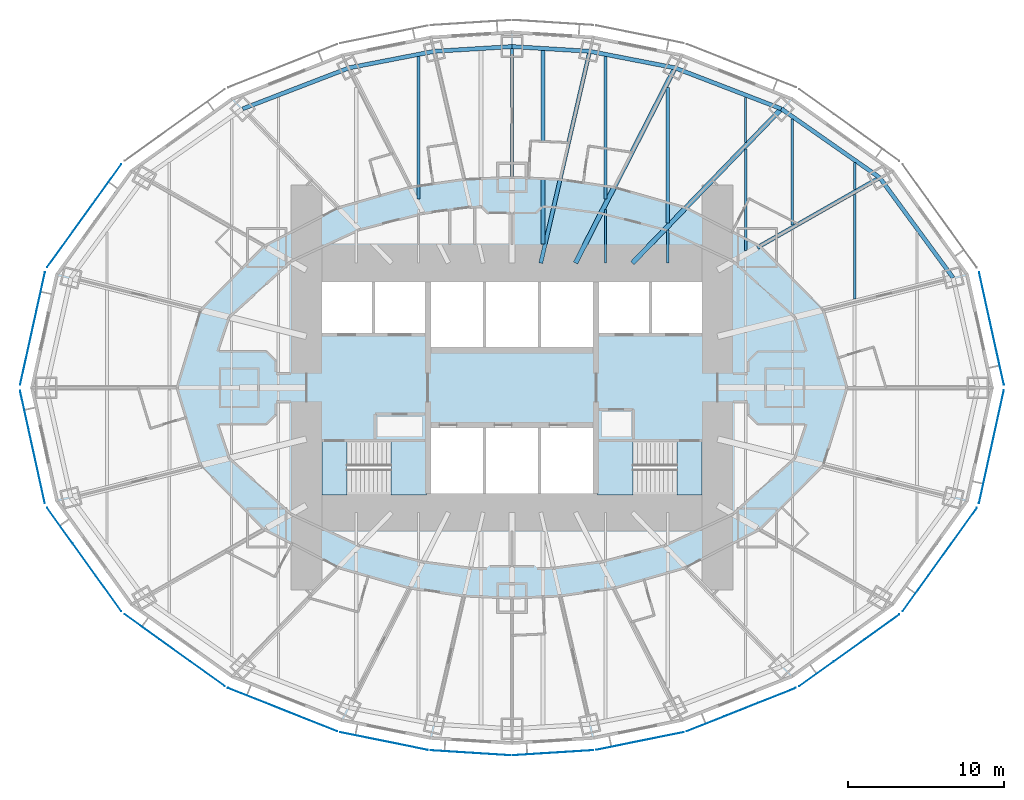
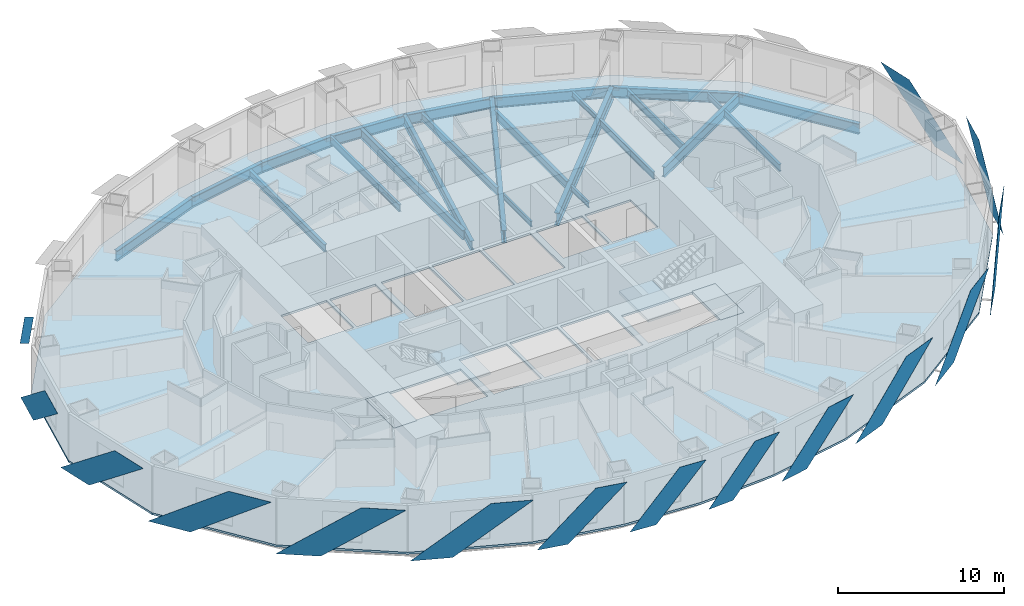
# One storey, part 3 of 15: 24 beams, 15 plates, 5 slabs, 2 elements without a shape of their own.
"""IFC4 building model written with IfcOpenShell, lengths in metres."""

from ifc_helpers import new_model, si_unit, direction, frame, origin, origin_2d, place, context, subcontext, project, spatial, polyline, i_section, outline, extrude, material, layer, layer_set, material_profile, profile_set, type_object, element, aggregate, save


model = new_model("IFC4")

# Units and contexts
model_context = context("Model", 3, precision=1e-05, world=origin(), true_north=direction((0.0, 1.0)))
body_context = subcontext(model_context, "Body", "Model", "MODEL_VIEW")
ifc_project = project(units=[si_unit("LENGTHUNIT", "METRE"), si_unit("AREAUNIT", "SQUARE_METRE"), si_unit("VOLUMEUNIT", "CUBIC_METRE"), si_unit("PLANEANGLEUNIT", "RADIAN"), si_unit("MASSUNIT", "GRAM", prefix="KILO")], contexts=[model_context])

# Site, building, storey
site_placement = place(None, origin())
site = spatial("IfcSite", under=ifc_project, at=site_placement, CompositionType="ELEMENT")
building_placement = place(site_placement, origin())
building = spatial("IfcBuilding", under=site, at=building_placement, Name="Lantaw Convention Tower", CompositionType="ELEMENT")
storey_placement = place(building_placement, frame((0.0, 0.0, 55.0)))
storey = spatial("IfcBuildingStorey", under=building, at=storey_placement, Name="L11", CompositionType="ELEMENT", Elevation=55.0)

# Beams
ifc_material_1 = material(Name="Steel ASTM A992", Category="steel")
ifc_material_profile_1 = material_profile(ifc_material_1, i_section(OverallWidth=0.2666015625, OverallDepth=0.76953125, WebThickness=0.015625, FlangeThickness=0.025390625, FilletRadius=0.0126953125, at=origin_2d()), Name="W30X132")
ifc_profile_set_1 = profile_set([ifc_material_profile_1], Name="Steel ASTM A992")
beam_type_1 = type_object("IfcBeamType", Name="Beam E W30X132", PredefinedType="SPANDREL", material=ifc_profile_set_1)
beam_1_placement = place(storey_placement, frame((28.31787109375, 7.060302734375, -0.534912109375), z_axis=(-0.591270709086, 0.806473154281, 0.0), x_axis=(-0.806473154281, -0.591270709086, 0.0)))
element("IfcBeam", 1, at=beam_1_placement, inside=storey, type_object=beam_type_1, Name="Edge beam 2", PredefinedType="SPANDREL", context=body_context, shape_type="SweptSolid", body=[
    extrude(i_section(OverallWidth=0.2666015625, OverallDepth=0.76953125, WebThickness=0.015625, FlangeThickness=0.025390625, FilletRadius=0.0126953125, at=origin_2d()), origin(), (0.0, 0.0, 1.0), 7.970703125),
])
beam_2_placement = place(storey_placement, frame((23.60498046875, 13.488525390625, -0.534912109375), z_axis=(-0.81942686407, 0.57318375277, 0.0), x_axis=(-0.57318375277, -0.81942686407, 0.0)))
element("IfcBeam", 2, at=beam_2_placement, inside=storey, type_object=beam_type_1, Name="Edge beam 3", PredefinedType="SPANDREL", context=body_context, shape_type="SweptSolid", body=[
    extrude(i_section(OverallWidth=0.2666015625, OverallDepth=0.76953125, WebThickness=0.015625, FlangeThickness=0.025390625, FilletRadius=0.0126953125, at=origin_2d()), origin(), (0.0, 0.0, 1.0), 7.70556640625),
])
beam_3_placement = place(storey_placement, frame((17.290771484375, 17.9052734375, -0.534912109375), z_axis=(-0.933232900641, 0.359271976588, 0.0), x_axis=(-0.359271976588, -0.933232900641, 0.0)))
element("IfcBeam", 3, at=beam_3_placement, inside=storey, type_object=beam_type_1, Name="Edge beam 4", PredefinedType="SPANDREL", context=body_context, shape_type="SweptSolid", body=[
    extrude(i_section(OverallWidth=0.2666015625, OverallDepth=0.76953125, WebThickness=0.015625, FlangeThickness=0.025390625, FilletRadius=0.0126953125, at=origin_2d()), origin(), (0.0, 0.0, 1.0), 7.316650390625),
])
beam_4_placement = place(storey_placement, frame((10.462646484375, 20.533935546875, -0.534912109375), z_axis=(-0.981636565323, 0.190760723474, 0.0), x_axis=(-0.190760723474, -0.981636565323, 0.0)))
element("IfcBeam", 4, at=beam_4_placement, inside=storey, type_object=beam_type_1, Name="Edge beam 5", PredefinedType="SPANDREL", context=body_context, shape_type="SweptSolid", body=[
    extrude(i_section(OverallWidth=0.2666015625, OverallDepth=0.76953125, WebThickness=0.015625, FlangeThickness=0.025390625, FilletRadius=0.0126953125, at=origin_2d()), origin(), (0.0, 0.0, 1.0), 5.578857421875),
])
for number, where, z_axis, x_axis, name in (
    (5, (4.986328125, 21.59814453125, -0.534912109375), (-0.998173858406, 0.060406526096, 0.0), (-0.060406526096, -0.998173858406, 0.0), "Edge beam 6"),
    (6, (0.0, 21.89990234375, -0.534912109375), (-0.998173858406, -0.060406526096, 0.0), (0.060406526096, -0.998173858406, 0.0), "Edge beam 7"),
):
    element("IfcBeam", number, at=place(storey_placement, frame(where, z_axis=z_axis, x_axis=x_axis)), inside=storey, type_object=beam_type_1, Name=name, PredefinedType="SPANDREL", context=body_context, shape_type="SweptSolid", body=[
        extrude(i_section(OverallWidth=0.2666015625, OverallDepth=0.76953125, WebThickness=0.015625, FlangeThickness=0.025390625, FilletRadius=0.0126953125, at=origin_2d()), origin(), (0.0, 0.0, 1.0), 4.995361328125),
    ])
beam_5_placement = place(storey_placement, frame((-4.986328125, 21.59814453125, -0.534912109375), z_axis=(-0.981636565323, -0.190760723474, 0.0), x_axis=(0.190760723474, -0.981636565323, 0.0)))
element("IfcBeam", 7, at=beam_5_placement, inside=storey, type_object=beam_type_1, Name="Edge beam 8", PredefinedType="SPANDREL", context=body_context, shape_type="SweptSolid", body=[
    extrude(i_section(OverallWidth=0.2666015625, OverallDepth=0.76953125, WebThickness=0.015625, FlangeThickness=0.025390625, FilletRadius=0.0126953125, at=origin_2d()), origin(), (0.0, 0.0, 1.0), 5.578857421875),
])
beam_6_placement = place(storey_placement, frame((-10.462646484375, 20.533935546875, -0.534912109375), z_axis=(-0.933232900641, -0.359271976588, 0.0), x_axis=(0.359271976588, -0.933232900641, 0.0)))
element("IfcBeam", 8, at=beam_6_placement, inside=storey, type_object=beam_type_1, Name="Edge beam 9", PredefinedType="SPANDREL", context=body_context, shape_type="SweptSolid", body=[
    extrude(i_section(OverallWidth=0.2666015625, OverallDepth=0.76953125, WebThickness=0.015625, FlangeThickness=0.025390625, FilletRadius=0.0126953125, at=origin_2d()), origin(), (0.0, 0.0, 1.0), 7.316650390625),
])
ifc_material_profile_2 = material_profile(ifc_material_1, i_section(OverallWidth=0.1650390625, OverallDepth=0.52587890625, WebThickness=0.0087890625, FlangeThickness=0.011474609375, FilletRadius=0.0126953125, at=origin_2d()), Name="W21X44")
ifc_profile_set_2 = profile_set([ifc_material_profile_2], Name="Steel ASTM A992")
beam_type_2 = type_object("IfcBeamType", Name="Beam G W21X44", PredefinedType="BEAM", material=ifc_profile_set_2)
beam_7_placement = place(storey_placement, frame((0.0, 13.5, -0.412841796875), z_axis=(0.0, 1.0, 0.0), x_axis=(-1.0, 0.0, 0.0)))
element("IfcBeam", 9, at=beam_7_placement, inside=storey, type_object=beam_type_2, Name="Floor girder on ray 7", PredefinedType="BEAM", context=body_context, shape_type="SweptSolid", body=[
    extrude(i_section(OverallWidth=0.1650390625, OverallDepth=0.52587890625, WebThickness=0.0087890625, FlangeThickness=0.011474609375, FilletRadius=0.0126953125, at=origin_2d()), origin(), (0.0, 0.0, 1.0), 8.39990234375),
])
ifc_material_profile_3 = material_profile(ifc_material_1, i_section(OverallWidth=0.25390625, OverallDepth=0.683349609375, WebThickness=0.012451171875, FlangeThickness=0.01904296875, FilletRadius=0.01513671875, at=origin_2d()), Name="W27X94")
ifc_profile_set_3 = profile_set([ifc_material_profile_3], Name="Steel ASTM A992")
beam_type_3 = type_object("IfcBeamType", Name="Beam G W27X94", PredefinedType="BEAM", material=ifc_profile_set_3)
beam_8_placement = place(storey_placement, frame((1.846923828125, 8.0, -0.49169921875), z_axis=(0.224952773175, 0.97436966796, 0.0), x_axis=(-0.97436966796, 0.224952773175, 0.0)))
element("IfcBeam", 10, at=beam_8_placement, inside=storey, type_object=beam_type_3, Name="Floor girder on ray 6", PredefinedType="BEAM", context=body_context, shape_type="SweptSolid", body=[
    extrude(i_section(OverallWidth=0.25390625, OverallDepth=0.683349609375, WebThickness=0.012451171875, FlangeThickness=0.01904296875, FilletRadius=0.01513671875, at=origin_2d()), origin(), (0.0, 0.0, 1.0), 13.955810546875),
])
ifc_material_profile_4 = material_profile(ifc_material_1, i_section(OverallWidth=0.2666015625, OverallDepth=0.7568359375, WebThickness=0.013916015625, FlangeThickness=0.019287109375, FilletRadius=0.0126953125, at=origin_2d()), Name="W30X108")
ifc_profile_set_4 = profile_set([ifc_material_profile_4], Name="Steel ASTM A992")
beam_type_4 = type_object("IfcBeamType", Name="Beam G W30X108", PredefinedType="BEAM", material=ifc_profile_set_4)
beam_9_placement = place(storey_placement, frame((15.75, 9.0, -0.528564453125), z_axis=(0.868244802791, 0.496136032179, 0.0), x_axis=(-0.496136032179, 0.868244802791, 0.0)))
element("IfcBeam", 11, at=beam_9_placement, inside=storey, type_object=beam_type_4, Name="Floor girder on ray 3", PredefinedType="BEAM", context=body_context, shape_type="SweptSolid", body=[
    extrude(i_section(OverallWidth=0.2666015625, OverallDepth=0.7568359375, WebThickness=0.013916015625, FlangeThickness=0.019287109375, FilletRadius=0.0126953125, at=origin_2d()), origin(), (0.0, 0.0, 1.0), 9.046875),
])
ifc_material_profile_5 = material_profile(ifc_material_1, i_section(OverallWidth=0.307373046875, OverallDepth=0.922119140625, WebThickness=0.018310546875, FlangeThickness=0.030029296875, FilletRadius=0.0126953125, at=origin_2d()), Name="W36X182")
ifc_profile_set_5 = profile_set([ifc_material_profile_5], Name="Steel ASTM A992")
beam_type_5 = type_object("IfcBeamType", Name="Beam G W36X182", PredefinedType="BEAM", material=ifc_profile_set_5)
beam_10_placement = place(storey_placement, frame((7.7255859375, 8.0, -0.611083984375), z_axis=(0.694649884291, 0.719347995239, 0.0), x_axis=(-0.719347995239, 0.694649884291, 0.0)))
element("IfcBeam", 12, at=beam_10_placement, inside=storey, type_object=beam_type_5, Name="Floor girder on ray 4", PredefinedType="BEAM", context=body_context, shape_type="SweptSolid", body=[
    extrude(i_section(OverallWidth=0.307373046875, OverallDepth=0.922119140625, WebThickness=0.018310546875, FlangeThickness=0.030029296875, FilletRadius=0.0126953125, at=origin_2d()), origin(), (0.0, 0.0, 1.0), 13.769775390625),
])
beam_11_placement = place(storey_placement, frame((4.076171875, 8.0, -0.611083984375), z_axis=(0.453997016122, 0.891003203896, 0.0), x_axis=(-0.891003203896, 0.453997016122, 0.0)))
element("IfcBeam", 13, at=beam_11_placement, inside=storey, type_object=beam_type_5, Name="Floor girder on ray 5", PredefinedType="BEAM", context=body_context, shape_type="SweptSolid", body=[
    extrude(i_section(OverallWidth=0.307373046875, OverallDepth=0.922119140625, WebThickness=0.018310546875, FlangeThickness=0.030029296875, FilletRadius=0.0126953125, at=origin_2d()), origin(), (0.0, 0.0, 1.0), 14.067138671875),
])
ifc_material_profile_6 = material_profile(ifc_material_1, i_section(OverallWidth=0.140380859375, OverallDepth=0.40380859375, WebThickness=0.007080078125, FlangeThickness=0.01123046875, FilletRadius=0.01025390625, at=origin_2d()), Name="W16X31")
ifc_profile_set_6 = profile_set([ifc_material_profile_6], Name="Steel ASTM A992")
beam_type_6 = type_object("IfcBeamType", Name="Beam J W16X31", PredefinedType="JOIST", material=ifc_profile_set_6)
beam_12_placement = place(storey_placement, frame((6.0, 8.0, -0.35205078125), z_axis=(0.0, 1.0, 0.0), x_axis=(-1.0, 0.0, 0.0)))
element("IfcBeam", 14, at=beam_12_placement, inside=storey, type_object=beam_type_6, Name="Floor joist", PredefinedType="JOIST", context=body_context, shape_type="SweptSolid", body=[
    extrude(i_section(OverallWidth=0.140380859375, OverallDepth=0.40380859375, WebThickness=0.007080078125, FlangeThickness=0.01123046875, FilletRadius=0.01025390625, at=origin_2d()), origin(), (0.0, 0.0, 1.0), 3.437255859375),
])
beam_13_placement = place(storey_placement, frame((10.0, 8.0, -0.35205078125), z_axis=(0.0, 1.0, 0.0), x_axis=(-1.0, 0.0, 0.0)))
element("IfcBeam", 15, at=beam_13_placement, inside=storey, type_object=beam_type_6, Name="Floor joist", PredefinedType="JOIST", context=body_context, shape_type="SweptSolid", body=[
    extrude(i_section(OverallWidth=0.140380859375, OverallDepth=0.40380859375, WebThickness=0.007080078125, FlangeThickness=0.01123046875, FilletRadius=0.01025390625, at=origin_2d()), origin(), (0.0, 0.0, 1.0), 2.134033203125),
])
beam_14_placement = place(storey_placement, frame((15.0, 15.754150390625, -0.35205078125), z_axis=(0.0, 1.0, 0.0), x_axis=(-1.0, 0.0, 0.0)))
element("IfcBeam", 16, at=beam_14_placement, inside=storey, type_object=beam_type_6, Name="Floor joist", PredefinedType="JOIST", context=body_context, shape_type="SweptSolid", body=[
    extrude(i_section(OverallWidth=0.140380859375, OverallDepth=0.40380859375, WebThickness=0.007080078125, FlangeThickness=0.01123046875, FilletRadius=0.01025390625, at=origin_2d()), origin(), (0.0, 0.0, 1.0), 2.89013671875),
])
beam_15_placement = place(storey_placement, frame((22.0, 12.72509765625, -0.35205078125), z_axis=(0.0, 1.0, 0.0), x_axis=(-1.0, 0.0, 0.0)))
element("IfcBeam", 17, at=beam_15_placement, inside=storey, type_object=beam_type_6, Name="Floor joist", PredefinedType="JOIST", context=body_context, shape_type="SweptSolid", body=[
    extrude(i_section(OverallWidth=0.140380859375, OverallDepth=0.40380859375, WebThickness=0.007080078125, FlangeThickness=0.01123046875, FilletRadius=0.01025390625, at=origin_2d()), origin(), (0.0, 0.0, 1.0), 1.723388671875),
])
ifc_material_profile_7 = material_profile(ifc_material_1, i_section(OverallWidth=0.1650390625, OverallDepth=0.52587890625, WebThickness=0.0087890625, FlangeThickness=0.011474609375, FilletRadius=0.0126953125, at=origin_2d()), Name="W21X44")
ifc_profile_set_7 = profile_set([ifc_material_profile_7], Name="Steel ASTM A992")
beam_type_7 = type_object("IfcBeamType", Name="Beam J W21X44", PredefinedType="JOIST", material=ifc_profile_set_7)
beam_16_placement = place(storey_placement, frame((15.0, 8.803955078125, -0.412841796875), z_axis=(0.0, 1.0, 0.0), x_axis=(-1.0, 0.0, 0.0)))
element("IfcBeam", 18, at=beam_16_placement, inside=storey, type_object=beam_type_7, Name="Floor joist", PredefinedType="JOIST", context=body_context, shape_type="SweptSolid", body=[
    extrude(i_section(OverallWidth=0.1650390625, OverallDepth=0.52587890625, WebThickness=0.0087890625, FlangeThickness=0.011474609375, FilletRadius=0.0126953125, at=origin_2d()), origin(), (0.0, 0.0, 1.0), 6.5078125),
])
beam_17_placement = place(storey_placement, frame((18.0, 10.439208984375, -0.412841796875), z_axis=(0.0, 1.0, 0.0), x_axis=(-1.0, 0.0, 0.0)))
element("IfcBeam", 19, at=beam_17_placement, inside=storey, type_object=beam_type_7, Name="Floor joist", PredefinedType="JOIST", context=body_context, shape_type="SweptSolid", body=[
    extrude(i_section(OverallWidth=0.1650390625, OverallDepth=0.52587890625, WebThickness=0.0087890625, FlangeThickness=0.011474609375, FilletRadius=0.0126953125, at=origin_2d()), origin(), (0.0, 0.0, 1.0), 6.80712890625),
])
beam_18_placement = place(storey_placement, frame((22.0, 5.693359375, -0.412841796875), z_axis=(0.0, 1.0, 0.0), x_axis=(-1.0, 0.0, 0.0)))
element("IfcBeam", 20, at=beam_18_placement, inside=storey, type_object=beam_type_7, Name="Floor joist", PredefinedType="JOIST", context=body_context, shape_type="SweptSolid", body=[
    extrude(i_section(OverallWidth=0.1650390625, OverallDepth=0.52587890625, WebThickness=0.0087890625, FlangeThickness=0.011474609375, FilletRadius=0.0126953125, at=origin_2d()), origin(), (0.0, 0.0, 1.0), 6.724609375),
])
ifc_material_profile_8 = material_profile(ifc_material_1, i_section(OverallWidth=0.2099609375, OverallDepth=0.535888671875, WebThickness=0.010986328125, FlangeThickness=0.017333984375, FilletRadius=0.012939453125, at=origin_2d()), Name="W21X68")
ifc_profile_set_8 = profile_set([ifc_material_profile_8], Name="Steel ASTM A992")
beam_type_8 = type_object("IfcBeamType", Name="Beam J W21X68", PredefinedType="JOIST", material=ifc_profile_set_8)
for number, where, z_axis, x_axis, name in (
    (21, (-6.0, 12.1142578125, -0.41796875), (0.0, 1.0, 0.0), (-1.0, 0.0, 0.0), "Floor joist"),
    (22, (6.0, 12.1142578125, -0.41796875), (0.0, 1.0, 0.0), (-1.0, 0.0, 0.0), "Floor joist"),
):
    element("IfcBeam", number, at=place(storey_placement, frame(where, z_axis=z_axis, x_axis=x_axis)), inside=storey, type_object=beam_type_8, Name=name, PredefinedType="JOIST", context=body_context, shape_type="SweptSolid", body=[
        extrude(i_section(OverallWidth=0.2099609375, OverallDepth=0.535888671875, WebThickness=0.010986328125, FlangeThickness=0.017333984375, FilletRadius=0.012939453125, at=origin_2d()), origin(), (0.0, 0.0, 1.0), 9.15087890625),
    ])
ifc_material_profile_9 = material_profile(ifc_material_1, i_section(OverallWidth=0.227783203125, OverallDepth=0.60205078125, WebThickness=0.010498046875, FlangeThickness=0.014892578125, FilletRadius=0.012939453125, at=origin_2d()), Name="W24X68")
ifc_profile_set_9 = profile_set([ifc_material_profile_9], Name="Steel ASTM A992")
beam_type_9 = type_object("IfcBeamType", Name="Beam J W24X68", PredefinedType="JOIST", material=ifc_profile_set_9)
beam_19_placement = place(storey_placement, frame((10.0, 10.576416015625, -0.450927734375), z_axis=(0.0, 1.0, 0.0), x_axis=(-1.0, 0.0, 0.0)))
element("IfcBeam", 23, at=beam_19_placement, inside=storey, type_object=beam_type_9, Name="Floor joist", PredefinedType="JOIST", context=body_context, shape_type="SweptSolid", body=[
    extrude(i_section(OverallWidth=0.227783203125, OverallDepth=0.60205078125, WebThickness=0.010498046875, FlangeThickness=0.014892578125, FilletRadius=0.012939453125, at=origin_2d()), origin(), (0.0, 0.0, 1.0), 8.711181640625),
])
ifc_material_profile_10 = material_profile(ifc_material_1, i_section(OverallWidth=0.25390625, OverallDepth=0.700927734375, WebThickness=0.015380859375, FlangeThickness=0.02783203125, FilletRadius=0.01513671875, at=origin_2d()), Name="W27X129")
ifc_profile_set_10 = profile_set([ifc_material_profile_10], Name="Steel ASTM A992")
beam_type_10 = type_object("IfcBeamType", Name="Beam J W27X129", PredefinedType="JOIST", material=ifc_profile_set_10)
beam_20_placement = place(storey_placement, frame((2.0, 9.2275390625, -0.50048828125), z_axis=(0.0, 1.0, 0.0), x_axis=(-1.0, 0.0, 0.0)))
element("IfcBeam", 24, at=beam_20_placement, inside=storey, type_object=beam_type_10, Name="Floor joist", PredefinedType="JOIST", context=body_context, shape_type="SweptSolid", body=[
    extrude(i_section(OverallWidth=0.25390625, OverallDepth=0.700927734375, WebThickness=0.015380859375, FlangeThickness=0.02783203125, FilletRadius=0.01513671875, at=origin_2d()), origin(), (0.0, 0.0, 1.0), 12.417724609375),
])

# Slab
ifc_material_2 = material(Name="Concrete C35/45", Category="concrete")
ifc_layer_1 = layer(ifc_material_2, 0.14990234375)
ifc_layer_set_1 = layer_set([ifc_layer_1], Name="Floor slab 150")
slab_type_1 = type_object("IfcSlabType", Name="Floor slab 150", PredefinedType="FLOOR", material=ifc_layer_set_1)
slab_1_placement = place(storey_placement, frame((0.0, 0.0, -0.14990234375)))
element("IfcSlab", 25, at=slab_1_placement, inside=storey, type_object=slab_type_1, Name="L11 floor slab", PredefinedType="FLOOR", context=body_context, shape_type="SweptSolid", body=[
    extrude(outline(polyline([(29.315185546875, -7.29541015625), (30.923095703125, 0.0), (29.315185546875, 7.29541015625), (24.50634765625, 13.98046875), (18.018798828125, 18.630126953125), (10.9404296875, 21.44189453125), (5.223876953125, 22.59521484375), (0.0, 22.9248046875), (-5.223876953125, 22.59521484375), (-10.9404296875, 21.44189453125), (-18.018798828125, 18.630126953125), (-24.50634765625, 13.98046875), (-29.315185546875, 7.29541015625), (-30.923095703125, 0.0), (-29.315185546875, -7.29541015625), (-24.50634765625, -13.98046875), (-18.018798828125, -18.630126953125), (-10.9404296875, -21.44189453125), (-5.223876953125, -22.59521484375), (0.0, -22.9248046875), (5.223876953125, -22.59521484375), (10.9404296875, -21.44189453125), (18.018798828125, -18.630126953125), (24.50634765625, -13.98046875), (29.315185546875, -7.29541015625)]), holes=[polyline([(-5.60009765625, -3.5), (-12.199951171875, -3.5), (-12.199951171875, -6.800048828125), (-5.60009765625, -6.800048828125), (-5.60009765625, -3.5)]), polyline([(-1.86669921875, -6.800048828125), (-1.86669921875, -2.60009765625), (-5.199951171875, -2.60009765625), (-5.199951171875, -6.800048828125), (-1.86669921875, -6.800048828125)]), polyline([(-1.86669921875, 2.60009765625), (-1.86669921875, 6.800048828125), (-5.199951171875, 6.800048828125), (-5.199951171875, 2.60009765625), (-1.86669921875, 2.60009765625)]), polyline([(1.666748046875, 6.800048828125), (-1.666748046875, 6.800048828125), (-1.666748046875, 2.60009765625), (1.666748046875, 2.60009765625), (1.666748046875, 6.800048828125)]), polyline([(-9.0, 3.5), (-9.0, 6.800048828125), (-12.199951171875, 6.800048828125), (-12.199951171875, 3.5), (-9.0, 3.5)]), polyline([(-5.60009765625, 3.5), (-5.60009765625, 6.800048828125), (-8.800048828125, 6.800048828125), (-8.800048828125, 3.5), (-5.60009765625, 3.5)]), polyline([(12.199951171875, -3.5), (5.60009765625, -3.5), (5.60009765625, -6.800048828125), (12.199951171875, -6.800048828125), (12.199951171875, -3.5)]), polyline([(1.666748046875, -6.800048828125), (1.666748046875, -2.60009765625), (-1.666748046875, -2.60009765625), (-1.666748046875, -6.800048828125), (1.666748046875, -6.800048828125)]), polyline([(5.199951171875, -6.800048828125), (5.199951171875, -2.60009765625), (1.86669921875, -2.60009765625), (1.86669921875, -6.800048828125), (5.199951171875, -6.800048828125)]), polyline([(5.199951171875, 6.800048828125), (1.86669921875, 6.800048828125), (1.86669921875, 2.60009765625), (5.199951171875, 2.60009765625), (5.199951171875, 6.800048828125)]), polyline([(8.800048828125, 3.5), (8.800048828125, 6.800048828125), (5.60009765625, 6.800048828125), (5.60009765625, 3.5), (8.800048828125, 3.5)]), polyline([(12.199951171875, 3.5), (12.199951171875, 6.800048828125), (9.0, 6.800048828125), (9.0, 3.5), (12.199951171875, 3.5)])]), origin(), (0.0, 0.0, 1.0), 0.14990234375),
])

# Plates
ifc_material_3 = material(Name="Perforated aluminium sheet, pale silver finish", Category="aluminium")
ifc_layer_2 = layer(ifc_material_3, 0.006103515625)
ifc_layer_set_2 = layer_set([ifc_layer_2], Name="Perforated aluminium solar SCREEN panel")
plate_type = type_object("IfcPlateType", Name="Perforated aluminium solar SCREEN panel", PredefinedType="SHEET", material=ifc_layer_set_2)
plate_1_placement = place(storey_placement, frame((31.5810546875, 0.17919921875, -0.175048828125), z_axis=(-0.97655943558, -0.215247921852, 3.0295023e-05), x_axis=(-0.215247921951, 0.976559436028, 3.12e-10)))
element("IfcPlate", 26, at=plate_1_placement, inside=storey, type_object=plate_type, Name="Solar SCREEN panel", PredefinedType="SHEET", context=body_context, shape_type="SweptSolid", body=[
    extrude(outline(polyline([(0.0, 0.0), (2.551002212329069, 3.3881317890172014e-21), (7.402498252985418, -3.739990233781388), (4.851734458487411, -3.7399902353733405), (0.0, 0.0)])), origin(), (0.0, 0.0, -1.0), 0.006103515625),
])
plate_2_placement = place(storey_placement, frame((-25.0810546875, 14.34765625, -0.175048828125), z_axis=(0.811791382613, -0.583947558463, 9.019268e-06), x_axis=(-0.583947558486, -0.811791382646, 0.0)))
element("IfcPlate", 27, at=plate_2_placement, inside=storey, type_object=plate_type, Name="Solar SCREEN panel", PredefinedType="SHEET", context=body_context, shape_type="SweptSolid", body=[
    extrude(outline(polyline([(0.0, 0.0), (2.809541672291133, 0.0), (8.163093158837512, -3.739990234527119), (5.353551486546379, -3.739990234527119), (0.0, 0.0)])), origin(), (0.0, 0.0, -1.0), 0.006103515625),
])
plate_3_placement = place(storey_placement, frame((-29.98779296875, 7.408203125, -0.175048828125), z_axis=(-0.97655943558, 0.215247921852, 3.0295023e-05), x_axis=(-0.215247921951, -0.976559436028, -3.12e-10)))
element("IfcPlate", 28, at=plate_3_placement, inside=storey, type_object=plate_type, Name="Solar SCREEN panel", PredefinedType="SHEET", context=body_context, shape_type="SweptSolid", body=[
    extrude(outline(polyline([(0.0, 0.0), (2.5507637944980077, 6.776263578034403e-21), (7.402498250651261, 3.7399902384013473), (4.851496038322192, 3.739990236809246), (0.0, 0.0)])), origin(), (0.0, 0.0, -1.0), 0.006103515625),
])
plate_4_placement = place(storey_placement, frame((-31.5810546875, -0.17919921875, -0.175048828125), z_axis=(0.97655943558, 0.215247921852, 3.0295023e-05), x_axis=(0.215247921951, -0.976559436028, 3.12e-10)))
element("IfcPlate", 29, at=plate_4_placement, inside=storey, type_object=plate_type, Name="Solar SCREEN panel", PredefinedType="SHEET", context=body_context, shape_type="SweptSolid", body=[
    extrude(outline(polyline([(0.0, 0.0), (2.551002212329069, 3.3881317890172014e-21), (7.402498252985418, -3.739990233781388), (4.851734458487411, -3.7399902353733405), (0.0, 0.0)])), origin(), (0.0, 0.0, -1.0), 0.006103515625),
])
plate_5_placement = place(storey_placement, frame((-29.847900390625, -7.720947265625, -0.175048828125), z_axis=(-0.811791382613, -0.583947558463, 9.019268e-06), x_axis=(0.583947558486, -0.811791382646, 0.0)))
element("IfcPlate", 30, at=plate_5_placement, inside=storey, type_object=plate_type, Name="Solar SCREEN panel", PredefinedType="SHEET", context=body_context, shape_type="SweptSolid", body=[
    extrude(outline(polyline([(0.0, 0.0), (2.809541672291133, 0.0), (8.163093158837512, 3.739990234527119), (5.353551486546379, 3.739990234527119), (0.0, 0.0)])), origin(), (0.0, 0.0, -1.0), 0.006103515625),
])
plate_6_placement = place(storey_placement, frame((-24.872314453125, -14.555908203125, -0.175048828125), z_axis=(-0.582561421998, -0.812786681331, 1.5819417e-05), x_axis=(0.812786681433, -0.582561422071, 0.0)))
element("IfcPlate", 31, at=plate_6_placement, inside=storey, type_object=plate_type, Name="Solar SCREEN panel", PredefinedType="SHEET", context=body_context, shape_type="SweptSolid", body=[
    extrude(outline(polyline([(0.0, 0.0), (2.721095180812288, 3.3881317890172014e-21), (7.903118572410756, 3.739990234842974), (5.182023391598468, 3.739990234842974), (0.0, 0.0)])), origin(), (0.0, 0.0, -1.0), 0.006103515625),
])
plate_7_placement = place(storey_placement, frame((-18.232177734375, -19.278076171875, -0.175048828125), z_axis=(0.369183532846, 0.929356508016, 9.163296e-06), x_axis=(0.929356508055, -0.369183532862, 0.0)))
element("IfcPlate", 32, at=plate_7_placement, inside=storey, type_object=plate_type, Name="Solar SCREEN panel", PredefinedType="SHEET", context=body_context, shape_type="SweptSolid", body=[
    extrude(outline(polyline([(0.0, 0.0), (2.594936467166582, -1.6940658945086007e-21), (7.5321069917580825, -3.739990234532016), (4.937170524591499, -3.739990234532016), (0.0, 0.0)])), origin(), (0.0, 0.0, -1.0), 0.006103515625),
])
plate_8_placement = place(storey_placement, frame((-11.03271484375, -22.117919921875, -0.175048828125), z_axis=(0.197781876197, 0.980246055561, 2.418535e-06), x_axis=(0.980246055563, -0.197781876198, 1.46e-10)))
element("IfcPlate", 33, at=plate_8_placement, inside=storey, type_object=plate_type, Name="Solar SCREEN panel", PredefinedType="SHEET", context=body_context, shape_type="SweptSolid", body=[
    extrude(outline(polyline([(0.0, 0.0), (1.9867801772236329, -3.1763735522036263e-22), (5.743587245978565, -3.7399902335493134), (3.7568553553458006, -3.739990234128105), (0.0, 0.0)])), origin(), (0.0, 0.0, -1.0), 0.006103515625),
])
plate_9_placement = place(storey_placement, frame((-5.221923828125, -23.27783203125, -0.175048828125), z_axis=(0.062923905251, 0.998018327468, 1.3605496e-05), x_axis=(0.998018327561, -0.062923905257, 9.3e-10)))
element("IfcPlate", 34, at=plate_9_placement, inside=storey, type_object=plate_type, Name="Solar SCREEN panel", PredefinedType="SHEET", context=body_context, shape_type="SweptSolid", body=[
    extrude(outline(polyline([(0.0, 0.0), (1.7828375409377817, -2.117582368135751e-22), (5.143985963027618, -3.739990229938699), (3.3611637843713935, -3.7399902332537565), (0.0, 0.0)])), origin(), (0.0, 0.0, -1.0), 0.006103515625),
])
plate_10_placement = place(storey_placement, frame((0.088134765625, -23.6015625, -0.175048828125), z_axis=(0.062923905251, -0.998018327468, 1.3605496e-05), x_axis=(0.998018327561, 0.062923905257, -9.3e-10)))
element("IfcPlate", 35, at=plate_10_placement, inside=storey, type_object=plate_type, Name="Solar SCREEN panel", PredefinedType="SHEET", context=body_context, shape_type="SweptSolid", body=[
    extrude(outline(polyline([(0.0, 0.0), (1.782822178656225, -2.117582368135751e-22), (5.143985956073316, 3.7399902395036517), (3.3611484151355353, 3.7399902361885653), (0.0, 0.0)])), origin(), (0.0, 0.0, -1.0), 0.006103515625),
])
plate_11_placement = place(storey_placement, frame((5.402587890625, -23.25390625, -0.175048828125), z_axis=(0.197781876197, -0.980246055561, 2.418535e-06), x_axis=(0.980246055563, 0.197781876198, -1.46e-10)))
element("IfcPlate", 36, at=plate_11_placement, inside=storey, type_object=plate_type, Name="Solar SCREEN panel", PredefinedType="SHEET", context=body_context, shape_type="SweptSolid", body=[
    extrude(outline(polyline([(0.0, 0.0), (1.9867318906327642, 1.0587911840678754e-22), (5.743587244888999, 3.7399902352225842), (3.7568070676653664, 3.7399902346437783), (0.0, 0.0)])), origin(), (0.0, 0.0, -1.0), 0.006103515625),
])
plate_12_placement = place(storey_placement, frame((11.232177734375, -22.058837890625, -0.175048828125), z_axis=(0.369183532846, -0.929356508016, 9.163296e-06), x_axis=(0.929356508055, 0.369183532862, 0.0)))
element("IfcPlate", 37, at=plate_12_placement, inside=storey, type_object=plate_type, Name="Solar SCREEN panel", PredefinedType="SHEET", context=body_context, shape_type="SweptSolid", body=[
    extrude(outline(polyline([(0.0, 0.0), (2.594936467166582, 1.6940658945086007e-21), (7.5321069917580825, 3.739990234532016), (4.937170524591499, 3.739990234532016), (0.0, 0.0)])), origin(), (0.0, 0.0, -1.0), 0.006103515625),
])
plate_13_placement = place(storey_placement, frame((18.44873046875, -19.159912109375, -0.175048828125), z_axis=(-0.582561421998, 0.812786681331, 1.5819417e-05), x_axis=(0.812786681433, 0.582561422071, 0.0)))
element("IfcPlate", 38, at=plate_13_placement, inside=storey, type_object=plate_type, Name="Solar SCREEN panel", PredefinedType="SHEET", context=body_context, shape_type="SweptSolid", body=[
    extrude(outline(polyline([(0.0, 0.0), (2.721095180812288, -3.3881317890172014e-21), (7.903118572410756, -3.739990234842974), (5.182023391598468, -3.739990234842974), (0.0, 0.0)])), origin(), (0.0, 0.0, -1.0), 0.006103515625),
])
plate_14_placement = place(storey_placement, frame((25.0810546875, -14.34765625, -0.175048828125), z_axis=(-0.811791382613, 0.583947558463, 9.019268e-06), x_axis=(0.583947558486, 0.811791382646, 0.0)))
element("IfcPlate", 39, at=plate_14_placement, inside=storey, type_object=plate_type, Name="Solar SCREEN panel", PredefinedType="SHEET", context=body_context, shape_type="SweptSolid", body=[
    extrude(outline(polyline([(0.0, 0.0), (2.809541672291133, 0.0), (8.163093158837512, -3.739990234527119), (5.353551486546379, -3.739990234527119), (0.0, 0.0)])), origin(), (0.0, 0.0, -1.0), 0.006103515625),
])
plate_15_placement = place(storey_placement, frame((29.98779296875, -7.408203125, -0.175048828125), z_axis=(0.97655943558, -0.215247921852, 3.0295023e-05), x_axis=(0.215247921951, 0.976559436028, -3.12e-10)))
element("IfcPlate", 40, at=plate_15_placement, inside=storey, type_object=plate_type, Name="Solar SCREEN panel", PredefinedType="SHEET", context=body_context, shape_type="SweptSolid", body=[
    extrude(outline(polyline([(0.0, 0.0), (2.5507637944980077, 6.776263578034403e-21), (7.402498250651261, 3.7399902384013473), (4.851496038322192, 3.739990236809246), (0.0, 0.0)])), origin(), (0.0, 0.0, -1.0), 0.006103515625),
])

# Stair, slabs
stair_type = type_object("IfcStairType", Name="Exit stair 1500 riser 163.64 in 2 flights", PredefinedType="HALF_TURN_STAIR", material=ifc_material_2)
stair_1_placement = place(storey_placement, origin())
stair_1 = element("IfcStair", 41, at=stair_1_placement, inside=storey, type_object=stair_type, Name="Exit stair S1 L11", PredefinedType="HALF_TURN_STAIR")
ifc_layer_3 = layer(ifc_material_2, 0.199951171875)
ifc_layer_set_3 = layer_set([ifc_layer_3], Name="Stair landing 200")
slab_type_2 = type_object("IfcSlabType", Name="Stair landing 200", PredefinedType="LANDING", material=ifc_layer_set_3)
slab_2_placement = place(storey_placement, frame((0.0, 0.0, -0.199951171875)))
slab_2 = element("IfcSlab", 42, at=slab_2_placement, type_object=slab_type_2, Name="S1 landing 1", PredefinedType="LANDING", context=body_context, shape_type="SweptSolid", body=[
    extrude(outline(polyline([(-12.199951171875, -6.89990234375), (-10.580078125, -6.89990234375), (-10.580078125, -3.39990234375), (-12.199951171875, -3.39990234375), (-12.199951171875, -6.89990234375)])), origin(), (0.0, 0.0, 1.0), 0.199951171875),
])
slab_3_placement = place(storey_placement, frame((0.0, 0.0, 1.60009765625)))
slab_3 = element("IfcSlab", 43, at=slab_3_placement, type_object=slab_type_2, Name="S1 landing 2", PredefinedType="LANDING", context=body_context, shape_type="SweptSolid", body=[
    extrude(outline(polyline([(-7.780029296875, -6.89990234375), (-5.5, -6.89990234375), (-5.5, -3.39990234375), (-7.780029296875, -3.39990234375), (-7.780029296875, -6.89990234375)])), origin(), (0.0, 0.0, 1.0), 0.199951171875),
])
aggregate(stair_1, [slab_2, slab_3])

stair_2_placement = place(storey_placement, origin())
stair_2 = element("IfcStair", 44, at=stair_2_placement, inside=storey, type_object=stair_type, Name="Exit stair S2 L11", PredefinedType="HALF_TURN_STAIR")
slab_4_placement = place(storey_placement, frame((0.0, 0.0, -0.199951171875)))
slab_4 = element("IfcSlab", 45, at=slab_4_placement, type_object=slab_type_2, Name="S2 landing 1", PredefinedType="LANDING", context=body_context, shape_type="SweptSolid", body=[
    extrude(outline(polyline([(10.580078125, -6.89990234375), (12.199951171875, -6.89990234375), (12.199951171875, -3.39990234375), (10.580078125, -3.39990234375), (10.580078125, -6.89990234375)])), origin(), (0.0, 0.0, 1.0), 0.199951171875),
])
slab_5_placement = place(storey_placement, frame((0.0, 0.0, 1.60009765625)))
slab_5 = element("IfcSlab", 46, at=slab_5_placement, type_object=slab_type_2, Name="S2 landing 2", PredefinedType="LANDING", context=body_context, shape_type="SweptSolid", body=[
    extrude(outline(polyline([(5.5, -6.89990234375), (7.780029296875, -6.89990234375), (7.780029296875, -3.39990234375), (5.5, -3.39990234375), (5.5, -6.89990234375)])), origin(), (0.0, 0.0, 1.0), 0.199951171875),
])
aggregate(stair_2, [slab_4, slab_5])

save(model, "model.ifc")
